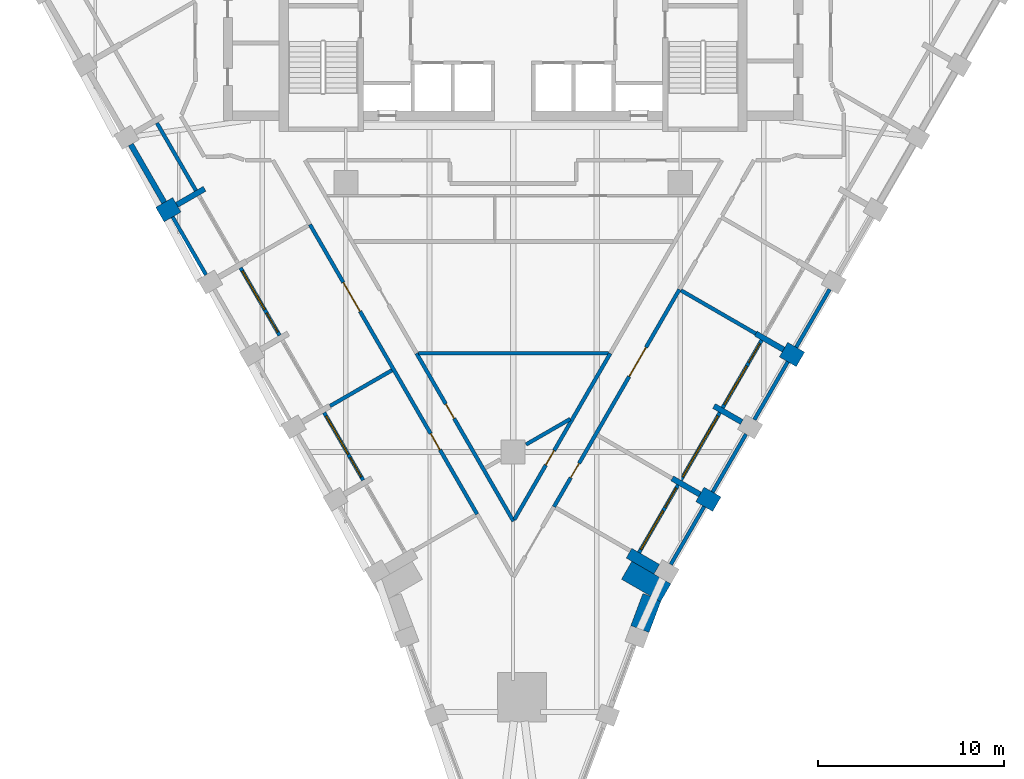
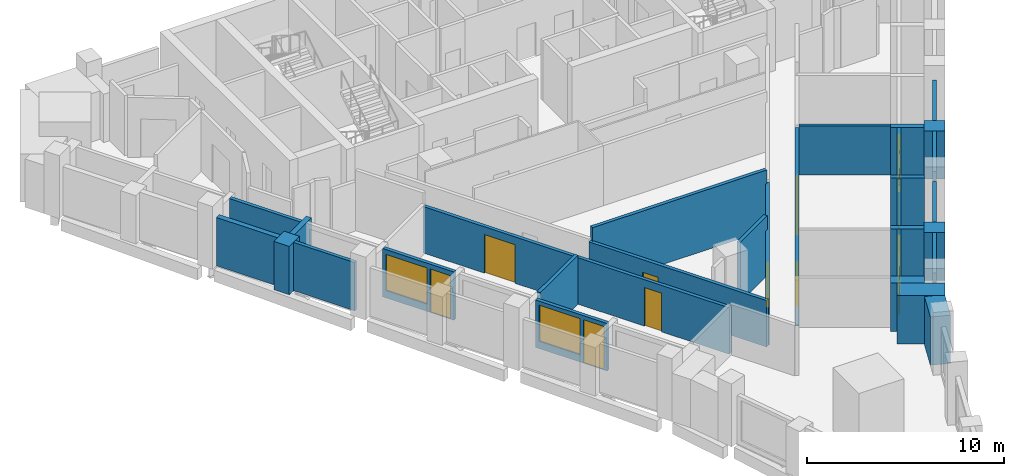
# One storey, part 3 of 9: 30 walls, 10 doors, 5 windows, 15 openings.
"""IFC4 building model written with IfcOpenShell, lengths in metres."""

from ifc_helpers import new_model, si_unit, direction, frame, frame_2d, origin, place, context, subcontext, project, spatial, polyline, rectangle, outline, extrude, material, layer, layer_set, type_object, element, fill, save


model = new_model("IFC4")

# Units and contexts
model_context = context("Model", 3, precision=1e-05, world=origin(), true_north=direction((0.0, 1.0)))
body_context = subcontext(model_context, "Body", "Model", "MODEL_VIEW")
ifc_project = project(units=[si_unit("LENGTHUNIT", "METRE"), si_unit("AREAUNIT", "SQUARE_METRE"), si_unit("VOLUMEUNIT", "CUBIC_METRE"), si_unit("PLANEANGLEUNIT", "RADIAN"), si_unit("MASSUNIT", "GRAM", prefix="KILO")], contexts=[model_context])

# Site, building, storey
site_placement = place(None, origin())
site = spatial("IfcSite", under=ifc_project, at=site_placement, CompositionType="ELEMENT")
building_placement = place(site_placement, origin())
building = spatial("IfcBuilding", under=site, at=building_placement, Name="Calabash Gate Tower", CompositionType="ELEMENT")
storey_placement = place(building_placement, frame((0.0, 0.0, 171.89990234375)))
storey = spatial("IfcBuildingStorey", under=building, at=storey_placement, Name="L40", CompositionType="ELEMENT", Elevation=171.89990234375)

# Walls
ifc_material_1 = material(Name="Terracotta brick masonry, exposed face", Category="masonry")
ifc_layer_1 = layer(ifc_material_1, 2.425048828125)
ifc_layer_set_1 = layer_set([ifc_layer_1], Name="Brick corner mass wall 2425")
wall_type_1 = type_object("IfcWallType", Name="Brick corner mass wall 2425", PredefinedType="SOLIDWALL", material=ifc_layer_set_1)
wall_1_placement = place(storey_placement, frame((8.21337890625, -19.57958984375, 0.0), z_axis=(0.0, 0.0, 1.0), x_axis=(-0.865997808697, 0.500047793048, 0.0)))
element("IfcWall", 1, at=wall_1_placement, inside=storey, type_object=wall_type_1, Name="Brick corner pier S11 2", PredefinedType="SOLIDWALL", context=body_context, shape_type="SweptSolid", body=[
    extrude(rectangle(XDim=2.425048828125, YDim=1.11669921875, at=frame_2d((1.21240234375, 0.0))), origin(), (0.0, 0.0, 1.0), 3.0),
])
ifc_material_2 = material(Name="Terracotta brick masonry, exposed face", Category="masonry")
ifc_layer_2 = layer(ifc_material_2, 1.050048828125)
ifc_layer_set_2 = layer_set([ifc_layer_2], Name="Brick end wall 1050")
wall_type_2 = type_object("IfcWallType", Name="Brick end wall 1050", PredefinedType="SOLIDWALL", material=ifc_layer_set_2)
wall_2_placement = place(storey_placement, frame((-19.00830078125, 0.779296875, 0.0), z_axis=(0.0, 0.0, 1.0), x_axis=(0.866088799389, 0.499890179513, 0.0)))
element("IfcWall", 2, at=wall_2_placement, inside=storey, type_object=wall_type_2, Name="Brick pier S11 SW0.3", PredefinedType="SOLIDWALL", context=body_context, shape_type="SweptSolid", body=[
    extrude(rectangle(XDim=1.050048828125, YDim=0.89990234375, at=frame_2d((0.52490234375, 0.0))), origin(), (0.0, 0.0, 1.0), 3.0),
])
for number, where, z_axis, x_axis, name in (
    (3, (10.967529296875, -14.80908203125, 0.0), (0.0, 0.0, 1.0), (-0.866030680601, 0.499990860175, 0.0), "Brick pier S11 SE4.1"),
    (4, (15.467529296875, -7.014892578125, 0.0), (0.0, 0.0, 1.0), (-0.866030680601, 0.499990860175, 0.0), "Brick pier S11 SE4.3"),
):
    element("IfcWall", number, at=place(storey_placement, frame(where, z_axis=z_axis, x_axis=x_axis)), inside=storey, type_object=wall_type_2, Name=name, PredefinedType="SOLIDWALL", context=body_context, shape_type="SweptSolid", body=[
        extrude(rectangle(XDim=1.0498046875, YDim=0.89990234375, at=frame_2d((0.52490234375, 0.0))), origin(), (0.0, 0.0, 1.0), 3.0),
    ])
wall_3_placement = place(storey_placement, origin())
element("IfcWall", 5, at=wall_3_placement, inside=storey, type_object=wall_type_2, Name="Brick end wall S11 3", PredefinedType="SOLIDWALL", context=body_context, shape_type="SweptSolid", body=[
    extrude(outline(polyline([(6.98828125, -19.61572265625), (6.337890625, -21.345947265625), (7.32080078125, -21.71533203125), (7.955810546875, -20.025634765625), (7.934326171875, -20.06298828125), (7.479736328125, -19.800537109375), (6.98828125, -19.61572265625)])), origin(), (0.0, 0.0, 1.0), 3.0),
])
ifc_material_3 = material(Name="Terracotta brick masonry, exposed face", Category="masonry")
ifc_layer_3 = layer(ifc_material_3, 0.300048828125)
ifc_layer_set_3 = layer_set([ifc_layer_3], Name="Brick infill panel wall 300")
wall_type_3 = type_object("IfcWallType", Name="Brick infill panel wall 300", PredefinedType="SOLIDWALL", material=ifc_layer_set_3)
wall_4_placement = place(storey_placement, frame((-20.57861328125, 4.54931640625, 0.0), z_axis=(0.0, 0.0, 1.0), x_axis=(0.499982693035, -0.866035395735, 0.0)))
element("IfcWall", 6, at=wall_4_placement, inside=storey, type_object=wall_type_3, Name="Brick panel S11 SW0.3", PredefinedType="SOLIDWALL", context=body_context, shape_type="SweptSolid", body=[
    extrude(rectangle(XDim=3.600341796875, YDim=0.300048828125, at=frame_2d((1.80029296875, 0.0))), origin(), (0.0, 0.0, 1.0), 3.0),
])
ifc_material_4 = material(Name="Terracotta brick masonry, exposed face", Category="masonry")
ifc_layer_4 = layer(ifc_material_4, 0.300048828125)
ifc_layer_set_4 = layer_set([ifc_layer_4], Name="Brick loggia cheek wall 300")
wall_type_4 = type_object("IfcWallType", Name="Brick loggia cheek wall 300", PredefinedType="SOLIDWALL", material=ifc_layer_set_4)
wall_5_placement = place(storey_placement, frame((-18.098876953125, 1.30419921875, 0.0), z_axis=(0.0, 0.0, 1.0), x_axis=(0.866013532718, 0.500020560727, 0.0)))
element("IfcWall", 7, at=wall_5_placement, inside=storey, type_object=wall_type_4, Name="Loggia cheek S11 SW0.3", PredefinedType="SOLIDWALL", context=body_context, shape_type="SweptSolid", body=[
    extrude(rectangle(XDim=1.72509765625, YDim=0.300048828125, at=frame_2d((0.862548828125, 0.0))), origin(), (0.0, 0.0, 1.0), 3.0),
])
wall_6_placement = place(storey_placement, frame((7.7333984375, -18.311279296875, 0.0), z_axis=(0.0, 0.0, 1.0), x_axis=(-0.866013532718, 0.500020560727, 0.0)))
element("IfcWall", 8, at=wall_6_placement, inside=storey, type_object=wall_type_4, Name="Loggia cheek S11 SE4.0", PredefinedType="SOLIDWALL", context=body_context, shape_type="SweptSolid", body=[
    extrude(rectangle(XDim=1.72509765625, YDim=0.60009765625, at=frame_2d((0.862548828125, 0.0))), origin(), (0.0, 0.0, 1.0), 3.0),
])
wall_7_placement = place(storey_placement, frame((10.058349609375, -14.2841796875, 0.0), z_axis=(0.0, 0.0, 1.0), x_axis=(-0.866013532718, 0.500020560727, 0.0)))
element("IfcWall", 9, at=wall_7_placement, inside=storey, type_object=wall_type_4, Name="Loggia cheek S11 SE4.1", PredefinedType="SOLIDWALL", context=body_context, shape_type="SweptSolid", body=[
    extrude(rectangle(XDim=1.72509765625, YDim=0.300048828125, at=frame_2d((0.862548828125, 0.0))), origin(), (0.0, 0.0, 1.0), 3.0),
])
wall_8_placement = place(storey_placement, frame((12.308349609375, -10.386962890625, 0.0), z_axis=(0.0, 0.0, 1.0), x_axis=(-0.866074815912, 0.499914405916, 0.0)))
element("IfcWall", 10, at=wall_8_placement, inside=storey, type_object=wall_type_4, Name="Loggia cheek S11 SE4.2", PredefinedType="SOLIDWALL", context=body_context, shape_type="SweptSolid", body=[
    extrude(rectangle(XDim=1.724853515625, YDim=0.300048828125, at=frame_2d((0.8623046875, 0.0))), origin(), (0.0, 0.0, 1.0), 3.0),
])
wall_9_placement = place(storey_placement, frame((14.558349609375, -6.489990234375, 0.0), z_axis=(0.0, 0.0, 1.0), x_axis=(-0.866013532718, 0.500020560727, 0.0)))
element("IfcWall", 11, at=wall_9_placement, inside=storey, type_object=wall_type_4, Name="Loggia cheek S11 SE4.3", PredefinedType="SOLIDWALL", context=body_context, shape_type="SweptSolid", body=[
    extrude(rectangle(XDim=1.72509765625, YDim=0.300048828125, at=frame_2d((0.862548828125, 0.0))), origin(), (0.0, 0.0, 1.0), 3.0),
])

# Wall, opening, door
ifc_material_5 = material(Name="Gypsum board on steel studs, mineral wool", Category="steel")
ifc_layer_5 = layer(ifc_material_5, 0.199951171875)
ifc_layer_set_5 = layer_set([ifc_layer_5], Name="Partition 200 gypsum board EI 60")
wall_type_5 = type_object("IfcWallType", Name="Partition 200 gypsum board EI 60", PredefinedType="PARTITIONING", material=ifc_layer_set_5)
wall_10_placement = place(storey_placement, frame((0.06787109375, -15.637939453125, 0.0), z_axis=(0.0, 0.0, 1.0), x_axis=(0.499989755964, 0.866031318101, 0.0)))
wall_10 = element("IfcWall", 12, at=wall_10_placement, inside=storey, type_object=wall_type_5, Name="Partition", PredefinedType="PARTITIONING", context=body_context, shape_type="SweptSolid", body=[
    extrude(rectangle(XDim=10.330810546875, YDim=0.199951171875, at=frame_2d((5.16552734375, 0.0))), origin(), (0.0, 0.0, 1.0), 2.88427734375),
])
opening_1_placement = place(wall_10_placement, frame((3.384521484375, 0.0, 0.0)))
opening_1 = element("IfcOpeningElement", 13, at=opening_1_placement, cuts=wall_10, Name="Opening 39-41-006", PredefinedType="OPENING", context=body_context, shape_type="SweptSolid", body=[
    extrude(rectangle(XDim=0.89990234375, YDim=2.10009765625, at=frame_2d((0.449951171875, 1.050048828125))), frame((0.0, 0.10986328125, 0.0), z_axis=(0.0, -1.0, 0.0), x_axis=(1.0, 0.0, 0.0)), (0.0, 0.0, 1.0), 0.219970703125),
])
ifc_material_6 = material(Name="Steel fire door set with fire-resisting glazing", Category="steel")
door_type_1 = type_object("IfcDoorType", Name="SD3 Store door 900x2100", OperationType="NOTDEFINED", PredefinedType="DOOR", material=ifc_material_6)
door_1_placement = place(opening_1_placement, origin())
door_1 = element("IfcDoor", 14, at=door_1_placement, inside=storey, type_object=door_type_1, Name="Store door", OperationType="SINGLE_SWING_LEFT", OverallHeight=2.10009765625, OverallWidth=0.89990234375, PredefinedType="DOOR", context=body_context, shape_type="SweptSolid", body=[
    extrude(rectangle(XDim=0.89990234375, YDim=2.10009765625, at=frame_2d((0.449951171875, 1.050048828125))), frame((0.0, 0.02490234375, 0.0), z_axis=(0.0, -1.0, 0.0), x_axis=(1.0, 0.0, 0.0)), (0.0, 0.0, 1.0), 0.050048828125),
])
fill(opening_1, door_1)

# Wall, openings, doors
wall_11_placement = place(storey_placement, frame((-10.93603515625, 0.24365234375, 0.0), z_axis=(0.0, 0.0, 1.0), x_axis=(0.5000018851, -0.866024315419, 0.0)))
wall_11 = element("IfcWall", 15, at=wall_11_placement, inside=storey, type_object=wall_type_5, Name="Partition", PredefinedType="PARTITIONING", context=body_context, shape_type="SweptSolid", body=[
    extrude(rectangle(XDim=18.0, YDim=0.199951171875, at=frame_2d((9.0, 0.0))), origin(), (0.0, 0.0, 1.0), 2.88427734375),
])
opening_2_placement = place(wall_11_placement, frame((3.60009765625, 0.0, 0.0)))
opening_2 = element("IfcOpeningElement", 16, at=opening_2_placement, cuts=wall_11, Name="Opening 39-41-001", PredefinedType="OPENING", context=body_context, shape_type="SweptSolid", body=[
    extrude(rectangle(XDim=1.800048828125, YDim=2.39990234375, at=frame_2d((0.89990234375, 1.199951171875))), frame((0.0, 0.10986328125, 0.0), z_axis=(0.0, -1.0, 0.0), x_axis=(1.0, 0.0, 0.0)), (0.0, 0.0, 1.0), 0.219970703125),
])
opening_3_placement = place(wall_11_placement, frame((13.0, 0.0, 0.0)))
opening_3 = element("IfcOpeningElement", 17, at=opening_3_placement, cuts=wall_11, Name="Opening 39-41-002", PredefinedType="OPENING", context=body_context, shape_type="SweptSolid", body=[
    extrude(rectangle(XDim=1.0, YDim=2.39990234375, at=frame_2d((0.5, 1.199951171875))), frame((0.0, 0.10986328125, 0.0), z_axis=(0.0, -1.0, 0.0), x_axis=(1.0, 0.0, 0.0)), (0.0, 0.0, 1.0), 0.219970703125),
])
ifc_material_7 = material(Name="Painted timber door", Category="wood")
door_type_2 = type_object("IfcDoorType", Name="OD2 Glazed office door 1000x2400", OperationType="NOTDEFINED", PredefinedType="DOOR", material=ifc_material_7)
door_2_placement = place(opening_3_placement, origin())
door_2 = element("IfcDoor", 18, at=door_2_placement, inside=storey, type_object=door_type_2, Name="Glazed office door", OperationType="SINGLE_SWING_LEFT", OverallHeight=2.39990234375, OverallWidth=1.0, PredefinedType="DOOR", context=body_context, shape_type="SweptSolid", body=[
    extrude(rectangle(XDim=1.0, YDim=2.39990234375, at=frame_2d((0.5, 1.199951171875))), frame((0.0, 0.02490234375, 0.0), z_axis=(0.0, -1.0, 0.0), x_axis=(1.0, 0.0, 0.0)), (0.0, 0.0, 1.0), 0.050048828125),
])
fill(opening_3, door_2)
ifc_material_8 = material(Name="Steel fire door set with fire-resisting glazing", Category="steel")
door_type_3 = type_object("IfcDoorType", Name="TD1 Tenancy entrance double door 1800x2400", OperationType="NOTDEFINED", PredefinedType="DOOR", material=ifc_material_8)
door_3_placement = place(opening_2_placement, origin())
door_3 = element("IfcDoor", 19, at=door_3_placement, inside=storey, type_object=door_type_3, Name="Tenancy entrance double door", OperationType="DOUBLE_DOOR_SINGLE_SWING", OverallHeight=2.39990234375, OverallWidth=1.800048828125, PredefinedType="DOOR", context=body_context, shape_type="SweptSolid", body=[
    extrude(rectangle(XDim=1.800048828125, YDim=2.39990234375, at=frame_2d((0.89990234375, 1.199951171875))), frame((0.0, 0.02490234375, 0.0), z_axis=(0.0, -1.0, 0.0), x_axis=(1.0, 0.0, 0.0)), (0.0, 0.0, 1.0), 0.050048828125),
])
fill(opening_2, door_3)

# Walls
wall_12_placement = place(storey_placement, frame((0.699951171875, -11.595703125, 0.0), z_axis=(0.0, 0.0, 1.0), x_axis=(0.865997634224, 0.500048095206, 0.0)))
element("IfcWall", 20, at=wall_12_placement, inside=storey, type_object=wall_type_5, Name="Partition", PredefinedType="PARTITIONING", context=body_context, shape_type="SweptSolid", body=[
    extrude(rectangle(XDim=2.747314453125, YDim=0.199951171875, at=frame_2d((1.37353515625, 0.0))), origin(), (0.0, 0.0, 1.0), 3.72998046875),
])
wall_13_placement = place(storey_placement, frame((-9.85498046875, -9.524658203125, 0.0), z_axis=(0.0, 0.0, 1.0), x_axis=(0.866261590682, 0.499590688974, 0.0)))
element("IfcWall", 21, at=wall_13_placement, inside=storey, type_object=wall_type_5, Name="Partition", PredefinedType="PARTITIONING", context=body_context, shape_type="SweptSolid", body=[
    extrude(rectangle(XDim=3.849853515625, YDim=0.199951171875, at=frame_2d((1.9248046875, 0.0))), origin(), (0.0, 0.0, 1.0), 3.052001953125),
])

# Wall, opening, door
wall_14_placement = place(storey_placement, frame((-5.196044921875, -6.690185546875, 0.0), z_axis=(0.0, 0.0, 1.0), x_axis=(0.499990567915, -0.866030849332, 0.0)))
wall_14 = element("IfcWall", 22, at=wall_14_placement, inside=storey, type_object=wall_type_5, Name="Partition", PredefinedType="PARTITIONING", context=body_context, shape_type="SweptSolid", body=[
    extrude(rectangle(XDim=10.430908203125, YDim=0.199951171875, at=frame_2d((5.21533203125, 0.0))), origin(), (0.0, 0.0, 1.0), 2.88427734375),
])
opening_4_placement = place(wall_14_placement, frame((3.147705078125, 0.0, 0.0)))
opening_4 = element("IfcOpeningElement", 23, at=opening_4_placement, cuts=wall_14, Name="Opening 39-41-007", PredefinedType="OPENING", context=body_context, shape_type="SweptSolid", body=[
    extrude(rectangle(XDim=0.89990234375, YDim=2.10009765625, at=frame_2d((0.449951171875, 1.050048828125))), frame((0.0, 0.10986328125, 0.0), z_axis=(0.0, -1.0, 0.0), x_axis=(1.0, 0.0, 0.0)), (0.0, 0.0, 1.0), 0.219970703125),
])
door_4_placement = place(opening_4_placement, origin())
door_4 = element("IfcDoor", 24, at=door_4_placement, inside=storey, type_object=door_type_1, Name="Store door", OperationType="SINGLE_SWING_LEFT", OverallHeight=2.10009765625, OverallWidth=0.89990234375, PredefinedType="DOOR", context=body_context, shape_type="SweptSolid", body=[
    extrude(rectangle(XDim=0.89990234375, YDim=2.10009765625, at=frame_2d((0.449951171875, 1.050048828125))), frame((0.0, 0.02490234375, 0.0), z_axis=(0.0, -1.0, 0.0), x_axis=(1.0, 0.0, 0.0)), (0.0, 0.0, 1.0), 0.050048828125),
])
fill(opening_4, door_4)

# Walls
wall_15_placement = place(storey_placement, frame((-5.098388671875, -6.68994140625, 0.0), z_axis=(0.0, 0.0, 1.0), x_axis=(0.99999998975, 0.000143177586, 0.0)))
element("IfcWall", 25, at=wall_15_placement, inside=storey, type_object=wall_type_5, Name="Partition", PredefinedType="PARTITIONING", context=body_context, shape_type="SweptSolid", body=[
    extrude(rectangle(XDim=10.23095703125, YDim=0.199951171875, at=frame_2d((5.115478515625, 0.0))), origin(), (0.0, 0.0, 1.0), 3.72998046875),
])
wall_16_placement = place(storey_placement, frame((9.0400390625, -3.3017578125, 0.0), z_axis=(0.0, 0.0, 1.0), x_axis=(0.865844341998, -0.500313477162, 0.0)))
element("IfcWall", 26, at=wall_16_placement, inside=storey, type_object=wall_type_5, Name="Partition", PredefinedType="PARTITIONING", context=body_context, shape_type="SweptSolid", body=[
    extrude(rectangle(XDim=4.64794921875, YDim=0.199951171875, at=frame_2d((2.323974609375, 0.0))), origin(), (0.0, 0.0, 1.0), 3.052001953125),
])

# Wall, openings, doors
wall_17_placement = place(storey_placement, frame((2.202392578125, -14.94482421875, 0.0), z_axis=(0.0, 0.0, 1.0), x_axis=(0.499997969693, 0.866026575979, 0.0)))
wall_17 = element("IfcWall", 27, at=wall_17_placement, inside=storey, type_object=wall_type_5, Name="Partition", PredefinedType="PARTITIONING", context=body_context, shape_type="SweptSolid", body=[
    extrude(rectangle(XDim=13.5, YDim=0.199951171875, at=frame_2d((6.75, 0.0))), origin(), (0.0, 0.0, 1.0), 2.88427734375),
])
opening_5_placement = place(wall_17_placement, frame((1.800048828125, 0.0, 0.0)))
opening_5 = element("IfcOpeningElement", 28, at=opening_5_placement, cuts=wall_17, Name="Opening 39-41-003", PredefinedType="OPENING", context=body_context, shape_type="SweptSolid", body=[
    extrude(rectangle(XDim=0.89990234375, YDim=2.10009765625, at=frame_2d((0.449951171875, 1.050048828125))), frame((0.0, 0.10986328125, 0.0), z_axis=(0.0, -1.0, 0.0), x_axis=(1.0, 0.0, 0.0)), (0.0, 0.0, 1.0), 0.219970703125),
])
opening_6_placement = place(wall_17_placement, frame((8.10009765625, 0.0, 0.0)))
opening_6 = element("IfcOpeningElement", 29, at=opening_6_placement, cuts=wall_17, Name="Opening 39-41-004", PredefinedType="OPENING", context=body_context, shape_type="SweptSolid", body=[
    extrude(rectangle(XDim=1.800048828125, YDim=2.39990234375, at=frame_2d((0.89990234375, 1.199951171875))), frame((0.0, 0.10986328125, 0.0), z_axis=(0.0, -1.0, 0.0), x_axis=(1.0, 0.0, 0.0)), (0.0, 0.0, 1.0), 0.219970703125),
])
ifc_material_9 = material(Name="Painted timber door", Category="wood")
door_type_4 = type_object("IfcDoorType", Name="OD1 Office door 900x2100", OperationType="NOTDEFINED", PredefinedType="DOOR", material=ifc_material_9)
door_5_placement = place(opening_5_placement, origin())
door_5 = element("IfcDoor", 30, at=door_5_placement, inside=storey, type_object=door_type_4, Name="Office door", OperationType="SINGLE_SWING_RIGHT", OverallHeight=2.10009765625, OverallWidth=0.89990234375, PredefinedType="DOOR", context=body_context, shape_type="SweptSolid", body=[
    extrude(rectangle(XDim=0.89990234375, YDim=2.10009765625, at=frame_2d((0.449951171875, 1.050048828125))), frame((0.0, 0.02490234375, 0.0), z_axis=(0.0, -1.0, 0.0), x_axis=(1.0, 0.0, 0.0)), (0.0, 0.0, 1.0), 0.050048828125),
])
fill(opening_5, door_5)
door_6_placement = place(opening_6_placement, origin())
door_6 = element("IfcDoor", 31, at=door_6_placement, inside=storey, type_object=door_type_3, Name="Tenancy entrance double door", OperationType="DOUBLE_DOOR_SINGLE_SWING", OverallHeight=2.39990234375, OverallWidth=1.800048828125, PredefinedType="DOOR", context=body_context, shape_type="SweptSolid", body=[
    extrude(rectangle(XDim=1.800048828125, YDim=2.39990234375, at=frame_2d((0.89990234375, 1.199951171875))), frame((0.0, 0.02490234375, 0.0), z_axis=(0.0, -1.0, 0.0), x_axis=(1.0, 0.0, 0.0)), (0.0, 0.0, 1.0), 0.050048828125),
])
fill(opening_6, door_6)

# Walls
ifc_material_10 = material(Name="Terracotta brick masonry, perforated", Category="masonry")
ifc_layer_6 = layer(ifc_material_10, 0.199951171875)
ifc_layer_set_6 = layer_set([ifc_layer_6], Name="Terracotta jaali screen A")
wall_type_6 = type_object("IfcWallType", Name="Terracotta jaali screen A", PredefinedType="SOLIDWALL", material=ifc_layer_set_6)
wall_18_placement = place(storey_placement, origin())
element("IfcWall", 32, at=wall_18_placement, inside=storey, type_object=wall_type_6, Name="SCREEN A S11 SW0.4", PredefinedType="SOLIDWALL", context=body_context, shape_type="SweptSolid", body=[
    extrude(outline(polyline([(-18.415283203125, 0.60205078125), (-16.616455078125, -2.513671875), (-16.443115234375, -2.413818359375), (-18.241943359375, 0.7021484375), (-18.415283203125, 0.60205078125)])), origin(), (0.0, 0.0, 1.0), 3.0),
])
for number, where, z_axis, x_axis, name in (
    (33, (8.488037109375, -18.053955078125, 0.0), (0.0, 0.0, 1.0), (0.500012057535, 0.866018442252, 0.0), "SCREEN A S11 SE4.1"),
    (34, (10.738037109375, -14.156982421875, 0.0), (0.0, 0.0, 1.0), (0.500012057535, 0.866018442252, 0.0), "SCREEN A S11 SE4.2"),
    (35, (12.988037109375, -10.259765625, 0.0), (0.0, 0.0, 1.0), (0.500012057535, 0.866018442252, 0.0), "SCREEN A S11 SE4.3"),
    (36, (15.238037109375, -6.36279296875, 0.0), (0.0, 0.0, 1.0), (0.500012057535, 0.866018442252, 0.0), "SCREEN A S11 SE4.4"),
):
    element("IfcWall", number, at=place(storey_placement, frame(where, z_axis=z_axis, x_axis=x_axis)), inside=storey, type_object=wall_type_6, Name=name, PredefinedType="SOLIDWALL", context=body_context, shape_type="SweptSolid", body=[
        extrude(rectangle(XDim=3.60009765625, YDim=0.199951171875, at=frame_2d((1.800048828125, 0.0))), origin(), (0.0, 0.0, 1.0), 3.0),
    ])
ifc_material_11 = material(Name="Aluminium framed window wall with insulated spandrel", Category="aluminium")
ifc_layer_7 = layer(ifc_material_11, 0.199951171875)
ifc_layer_set_7 = layer_set([ifc_layer_7], Name="Window wall 200")
wall_type_7 = type_object("IfcWallType", Name="Window wall 200", PredefinedType="ELEMENTEDWALL", material=ifc_layer_set_7)
wall_19_placement = place(storey_placement, frame((-19.169921875, 5.708984375, 0.0), z_axis=(0.0, 0.0, 1.0), x_axis=(0.500027713859, -0.866009402589, 0.0)))
element("IfcWall", 37, at=wall_19_placement, inside=storey, type_object=wall_type_7, Name="Window wall S11 SW0.3", PredefinedType="ELEMENTEDWALL", context=body_context, shape_type="SweptSolid", body=[
    extrude(rectangle(XDim=4.199951171875, YDim=0.199951171875, at=frame_2d((2.10009765625, 0.0))), origin(), (0.0, 0.0, 1.0), 2.9501953125),
])

# Wall, openings, door, window
wall_20_placement = place(storey_placement, frame((-14.669921875, -2.085205078125, 0.0), z_axis=(0.0, 0.0, 1.0), x_axis=(0.500027713859, -0.866009402589, 0.0)))
wall_20 = element("IfcWall", 38, at=wall_20_placement, inside=storey, type_object=wall_type_7, Name="Window wall S11 SW0.5", PredefinedType="ELEMENTEDWALL", context=body_context, shape_type="SweptSolid", body=[
    extrude(rectangle(XDim=4.199951171875, YDim=0.199951171875, at=frame_2d((2.10009765625, 0.0))), origin(), (0.0, 0.0, 1.0), 3.0),
])
opening_7_placement = place(wall_20_placement, frame((0.199951171875, 0.0, 0.449951171875)))
opening_7 = element("IfcOpeningElement", 39, at=opening_7_placement, cuts=wall_20, Name="Opening OW1", PredefinedType="OPENING", context=body_context, shape_type="SweptSolid", body=[
    extrude(rectangle(XDim=2.39990234375, YDim=2.25, at=frame_2d((1.199951171875, 1.125))), frame((0.0, 0.10986328125, 0.0), z_axis=(0.0, -1.0, 0.0), x_axis=(1.0, 0.0, 0.0)), (0.0, 0.0, 1.0), 0.219970703125),
])
opening_8_placement = place(wall_20_placement, frame((2.800048828125, 0.0, 0.0)))
opening_8 = element("IfcOpeningElement", 40, at=opening_8_placement, cuts=wall_20, Name="Opening O3-026", PredefinedType="OPENING", context=body_context, shape_type="SweptSolid", body=[
    extrude(rectangle(XDim=1.199951171875, YDim=2.699951171875, at=frame_2d((0.60009765625, 1.35009765625))), frame((0.0, 0.10986328125, 0.0), z_axis=(0.0, -1.0, 0.0), x_axis=(1.0, 0.0, 0.0)), (0.0, 0.0, 1.0), 0.219970703125),
])
ifc_material_12 = material(Name="Anodised aluminium frame, bronze finish, impact-rated laminated clear glazing", Category="aluminium")
door_type_5 = type_object("IfcDoorType", Name="Loggia door DO1 1200x2700", OperationType="SLIDING_TO_LEFT", PredefinedType="DOOR", material=ifc_material_12)
door_7_placement = place(opening_8_placement, origin())
door_7 = element("IfcDoor", 41, at=door_7_placement, inside=storey, type_object=door_type_5, Name="Loggia door S11 SW0.5", OperationType="SINGLE_SWING_LEFT", OverallHeight=2.699951171875, OverallWidth=1.199951171875, PredefinedType="DOOR", context=body_context, shape_type="SweptSolid", body=[
    extrude(rectangle(XDim=1.199951171875, YDim=2.699951171875, at=frame_2d((0.60009765625, 1.35009765625))), frame((0.0, 0.02490234375, 0.0), z_axis=(0.0, -1.0, 0.0), x_axis=(1.0, 0.0, 0.0)), (0.0, 0.0, 1.0), 0.050048828125),
])
fill(opening_8, door_7)
ifc_material_13 = material(Name="Anodised aluminium frame, bronze finish, impact-rated laminated clear glazing", Category="aluminium")
window_type_1 = type_object("IfcWindowType", Name="Window OW1 2400x2250", PartitioningType="DOUBLE_PANEL_VERTICAL", PredefinedType="WINDOW", material=ifc_material_13)
window_1_placement = place(opening_7_placement, origin())
window_1 = element("IfcWindow", 42, at=window_1_placement, inside=storey, type_object=window_type_1, Name="Window OW1 S11 SW0.5", OverallHeight=2.25, OverallWidth=2.39990234375, PartitioningType="SINGLE_PANEL", PredefinedType="WINDOW", context=body_context, shape_type="SweptSolid", body=[
    extrude(rectangle(XDim=2.39990234375, YDim=2.25, at=frame_2d((1.199951171875, 1.125))), frame((0.0, 0.030029296875, 0.0), z_axis=(0.0, -1.0, 0.0), x_axis=(1.0, 0.0, 0.0)), (0.0, 0.0, 1.0), 0.06005859375),
])
fill(opening_7, window_1)

wall_21_placement = place(storey_placement, frame((-10.169921875, -9.87939453125, 0.0), z_axis=(0.0, 0.0, 1.0), x_axis=(0.500002543286, -0.866023935413, 0.0)))
wall_21 = element("IfcWall", 43, at=wall_21_placement, inside=storey, type_object=wall_type_7, Name="Window wall S11 SW0.7", PredefinedType="ELEMENTEDWALL", context=body_context, shape_type="SweptSolid", body=[
    extrude(rectangle(XDim=4.2001953125, YDim=0.199951171875, at=frame_2d((2.10009765625, 0.0))), origin(), (0.0, 0.0, 1.0), 2.9501953125),
])
opening_9_placement = place(wall_21_placement, frame((0.199951171875, 0.0, 0.449951171875)))
opening_9 = element("IfcOpeningElement", 44, at=opening_9_placement, cuts=wall_21, Name="Opening OW1", PredefinedType="OPENING", context=body_context, shape_type="SweptSolid", body=[
    extrude(rectangle(XDim=2.39990234375, YDim=2.25, at=frame_2d((1.199951171875, 1.125))), frame((0.0, 0.10986328125, 0.0), z_axis=(0.0, -1.0, 0.0), x_axis=(1.0, 0.0, 0.0)), (0.0, 0.0, 1.0), 0.219970703125),
])
opening_10_placement = place(wall_21_placement, frame((2.800048828125, 0.0, 0.0)))
opening_10 = element("IfcOpeningElement", 45, at=opening_10_placement, cuts=wall_21, Name="Opening O3-027", PredefinedType="OPENING", context=body_context, shape_type="SweptSolid", body=[
    extrude(rectangle(XDim=1.199951171875, YDim=2.699951171875, at=frame_2d((0.60009765625, 1.35009765625))), frame((0.0, 0.10986328125, 0.0), z_axis=(0.0, -1.0, 0.0), x_axis=(1.0, 0.0, 0.0)), (0.0, 0.0, 1.0), 0.219970703125),
])
door_8_placement = place(opening_10_placement, origin())
door_8 = element("IfcDoor", 46, at=door_8_placement, inside=storey, type_object=door_type_5, Name="Loggia door S11 SW0.7", OperationType="SINGLE_SWING_LEFT", OverallHeight=2.699951171875, OverallWidth=1.199951171875, PredefinedType="DOOR", context=body_context, shape_type="SweptSolid", body=[
    extrude(rectangle(XDim=1.199951171875, YDim=2.699951171875, at=frame_2d((0.60009765625, 1.35009765625))), frame((0.0, 0.02490234375, 0.0), z_axis=(0.0, -1.0, 0.0), x_axis=(1.0, 0.0, 0.0)), (0.0, 0.0, 1.0), 0.050048828125),
])
fill(opening_10, door_8)
window_2_placement = place(opening_9_placement, origin())
window_2 = element("IfcWindow", 47, at=window_2_placement, inside=storey, type_object=window_type_1, Name="Window OW1 S11 SW0.7", OverallHeight=2.25, OverallWidth=2.39990234375, PartitioningType="SINGLE_PANEL", PredefinedType="WINDOW", context=body_context, shape_type="SweptSolid", body=[
    extrude(rectangle(XDim=2.39990234375, YDim=2.25, at=frame_2d((1.199951171875, 1.125))), frame((0.0, 0.030029296875, 0.0), z_axis=(0.0, -1.0, 0.0), x_axis=(1.0, 0.0, 0.0)), (0.0, 0.0, 1.0), 0.06005859375),
])
fill(opening_9, window_2)

wall_22_placement = place(storey_placement, frame((6.779052734375, -17.413818359375, 0.0), z_axis=(0.0, 0.0, 1.0), x_axis=(0.500027713859, 0.866009402589, 0.0)))
wall_22 = element("IfcWall", 48, at=wall_22_placement, inside=storey, type_object=wall_type_7, Name="Window wall S11 SE4.1", PredefinedType="ELEMENTEDWALL", context=body_context, shape_type="SweptSolid", body=[
    extrude(rectangle(XDim=4.199951171875, YDim=0.199951171875, at=frame_2d((2.10009765625, 0.0))), origin(), (0.0, 0.0, 1.0), 3.0),
])
opening_11_placement = place(wall_22_placement, frame((0.199951171875, 0.0, 0.449951171875)))
opening_11 = element("IfcOpeningElement", 49, at=opening_11_placement, cuts=wall_22, Name="Opening OW1", PredefinedType="OPENING", context=body_context, shape_type="SweptSolid", body=[
    extrude(rectangle(XDim=2.39990234375, YDim=2.25, at=frame_2d((1.199951171875, 1.125))), frame((0.0, 0.10986328125, 0.0), z_axis=(0.0, -1.0, 0.0), x_axis=(1.0, 0.0, 0.0)), (0.0, 0.0, 1.0), 0.219970703125),
])
opening_12_placement = place(wall_22_placement, frame((2.800048828125, 0.0, 0.0)))
opening_12 = element("IfcOpeningElement", 50, at=opening_12_placement, cuts=wall_22, Name="Opening O3-023", PredefinedType="OPENING", context=body_context, shape_type="SweptSolid", body=[
    extrude(rectangle(XDim=1.199951171875, YDim=2.699951171875, at=frame_2d((0.60009765625, 1.35009765625))), frame((0.0, 0.10986328125, 0.0), z_axis=(0.0, -1.0, 0.0), x_axis=(1.0, 0.0, 0.0)), (0.0, 0.0, 1.0), 0.219970703125),
])
door_9_placement = place(opening_12_placement, origin())
door_9 = element("IfcDoor", 51, at=door_9_placement, inside=storey, type_object=door_type_5, Name="Loggia door S11 SE4.1", OperationType="SINGLE_SWING_LEFT", OverallHeight=2.699951171875, OverallWidth=1.199951171875, PredefinedType="DOOR", context=body_context, shape_type="SweptSolid", body=[
    extrude(rectangle(XDim=1.199951171875, YDim=2.699951171875, at=frame_2d((0.60009765625, 1.35009765625))), frame((0.0, 0.02490234375, 0.0), z_axis=(0.0, -1.0, 0.0), x_axis=(1.0, 0.0, 0.0)), (0.0, 0.0, 1.0), 0.050048828125),
])
fill(opening_12, door_9)
window_3_placement = place(opening_11_placement, origin())
window_3 = element("IfcWindow", 52, at=window_3_placement, inside=storey, type_object=window_type_1, Name="Window OW1 S11 SE4.1", OverallHeight=2.25, OverallWidth=2.39990234375, PartitioningType="SINGLE_PANEL", PredefinedType="WINDOW", context=body_context, shape_type="SweptSolid", body=[
    extrude(rectangle(XDim=2.39990234375, YDim=2.25, at=frame_2d((1.199951171875, 1.125))), frame((0.0, 0.030029296875, 0.0), z_axis=(0.0, -1.0, 0.0), x_axis=(1.0, 0.0, 0.0)), (0.0, 0.0, 1.0), 0.06005859375),
])
fill(opening_11, window_3)

# Wall, opening, window
wall_23_placement = place(storey_placement, frame((9.029052734375, -13.516845703125, 0.0), z_axis=(0.0, 0.0, 1.0), x_axis=(0.500002543286, 0.866023935413, 0.0)))
wall_23 = element("IfcWall", 53, at=wall_23_placement, inside=storey, type_object=wall_type_7, Name="Window wall S11 SE4.2", PredefinedType="ELEMENTEDWALL", context=body_context, shape_type="SweptSolid", body=[
    extrude(rectangle(XDim=4.2001953125, YDim=0.199951171875, at=frame_2d((2.10009765625, 0.0))), origin(), (0.0, 0.0, 1.0), 2.9501953125),
])
opening_13_placement = place(wall_23_placement, frame((0.199951171875, 0.0, 0.449951171875)))
opening_13 = element("IfcOpeningElement", 54, at=opening_13_placement, cuts=wall_23, Name="Opening OW2", PredefinedType="OPENING", context=body_context, shape_type="SweptSolid", body=[
    extrude(rectangle(XDim=3.800048828125, YDim=2.25, at=frame_2d((1.89990234375, 1.125))), frame((0.0, 0.10986328125, 0.0), z_axis=(0.0, -1.0, 0.0), x_axis=(1.0, 0.0, 0.0)), (0.0, 0.0, 1.0), 0.219970703125),
])
ifc_material_14 = material(Name="Anodised aluminium frame, bronze finish, impact-rated laminated clear glazing", Category="aluminium")
window_type_2 = type_object("IfcWindowType", Name="Window OW2 3800x2250", PartitioningType="TRIPLE_PANEL_VERTICAL", PredefinedType="WINDOW", material=ifc_material_14)
window_4_placement = place(opening_13_placement, origin())
window_4 = element("IfcWindow", 55, at=window_4_placement, inside=storey, type_object=window_type_2, Name="Window OW2 S11 SE4.2", OverallHeight=2.25, OverallWidth=3.800048828125, PartitioningType="SINGLE_PANEL", PredefinedType="WINDOW", context=body_context, shape_type="SweptSolid", body=[
    extrude(rectangle(XDim=3.800048828125, YDim=2.25, at=frame_2d((1.89990234375, 1.125))), frame((0.0, 0.030029296875, 0.0), z_axis=(0.0, -1.0, 0.0), x_axis=(1.0, 0.0, 0.0)), (0.0, 0.0, 1.0), 0.06005859375),
])
fill(opening_13, window_4)

# Wall, openings, door, window
wall_24_placement = place(storey_placement, frame((11.279052734375, -9.61962890625, 0.0), z_axis=(0.0, 0.0, 1.0), x_axis=(0.500027713859, 0.866009402589, 0.0)))
wall_24 = element("IfcWall", 56, at=wall_24_placement, inside=storey, type_object=wall_type_7, Name="Window wall S11 SE4.3", PredefinedType="ELEMENTEDWALL", context=body_context, shape_type="SweptSolid", body=[
    extrude(rectangle(XDim=4.199951171875, YDim=0.199951171875, at=frame_2d((2.10009765625, 0.0))), origin(), (0.0, 0.0, 1.0), 3.0),
])
opening_14_placement = place(wall_24_placement, frame((0.199951171875, 0.0, 0.449951171875)))
opening_14 = element("IfcOpeningElement", 57, at=opening_14_placement, cuts=wall_24, Name="Opening OW1", PredefinedType="OPENING", context=body_context, shape_type="SweptSolid", body=[
    extrude(rectangle(XDim=2.39990234375, YDim=2.25, at=frame_2d((1.199951171875, 1.125))), frame((0.0, 0.10986328125, 0.0), z_axis=(0.0, -1.0, 0.0), x_axis=(1.0, 0.0, 0.0)), (0.0, 0.0, 1.0), 0.219970703125),
])
opening_15_placement = place(wall_24_placement, frame((2.800048828125, 0.0, 0.0)))
opening_15 = element("IfcOpeningElement", 58, at=opening_15_placement, cuts=wall_24, Name="Opening O3-024", PredefinedType="OPENING", context=body_context, shape_type="SweptSolid", body=[
    extrude(rectangle(XDim=1.199951171875, YDim=2.699951171875, at=frame_2d((0.60009765625, 1.35009765625))), frame((0.0, 0.10986328125, 0.0), z_axis=(0.0, -1.0, 0.0), x_axis=(1.0, 0.0, 0.0)), (0.0, 0.0, 1.0), 0.219970703125),
])
door_10_placement = place(opening_15_placement, origin())
door_10 = element("IfcDoor", 59, at=door_10_placement, inside=storey, type_object=door_type_5, Name="Loggia door S11 SE4.3", OperationType="SINGLE_SWING_LEFT", OverallHeight=2.699951171875, OverallWidth=1.199951171875, PredefinedType="DOOR", context=body_context, shape_type="SweptSolid", body=[
    extrude(rectangle(XDim=1.199951171875, YDim=2.699951171875, at=frame_2d((0.60009765625, 1.35009765625))), frame((0.0, 0.02490234375, 0.0), z_axis=(0.0, -1.0, 0.0), x_axis=(1.0, 0.0, 0.0)), (0.0, 0.0, 1.0), 0.050048828125),
])
fill(opening_15, door_10)
window_5_placement = place(opening_14_placement, origin())
window_5 = element("IfcWindow", 60, at=window_5_placement, inside=storey, type_object=window_type_1, Name="Window OW1 S11 SE4.3", OverallHeight=2.25, OverallWidth=2.39990234375, PartitioningType="SINGLE_PANEL", PredefinedType="WINDOW", context=body_context, shape_type="SweptSolid", body=[
    extrude(rectangle(XDim=2.39990234375, YDim=2.25, at=frame_2d((1.199951171875, 1.125))), frame((0.0, 0.030029296875, 0.0), z_axis=(0.0, -1.0, 0.0), x_axis=(1.0, 0.0, 0.0)), (0.0, 0.0, 1.0), 0.06005859375),
])
fill(opening_14, window_5)

save(model, "model.ifc")
